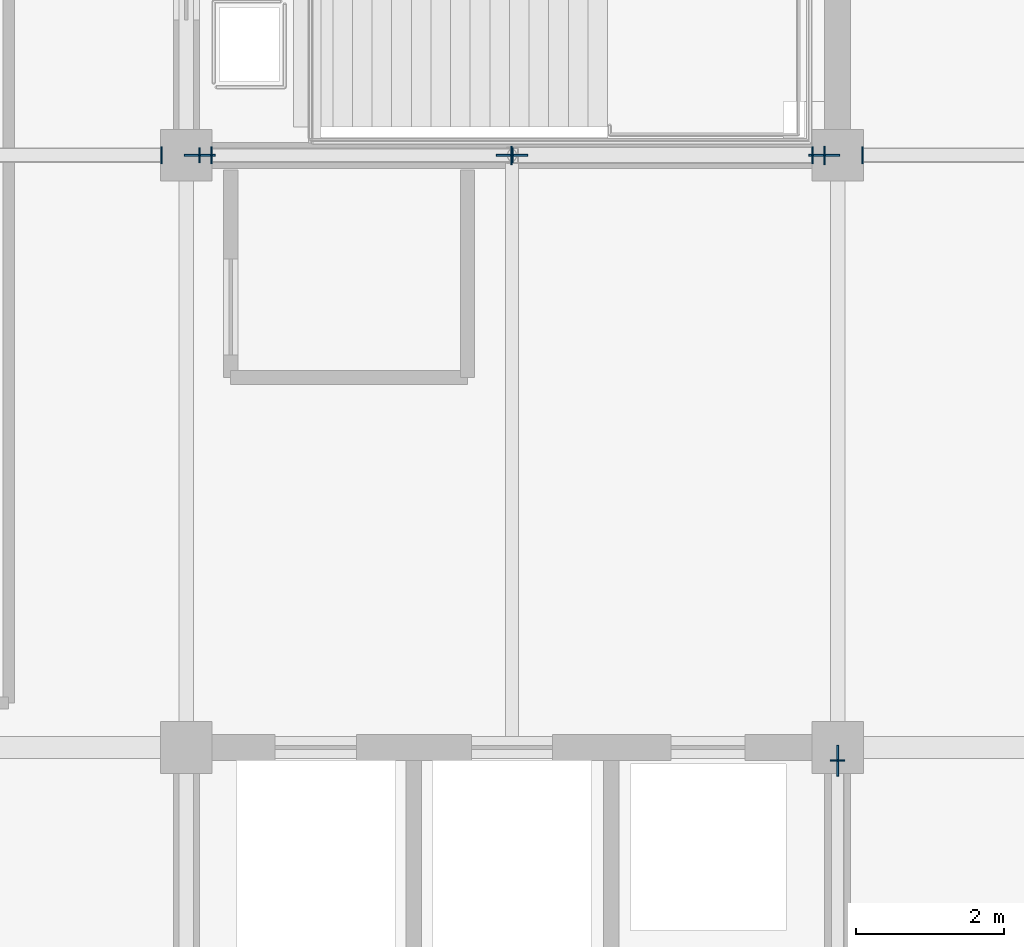
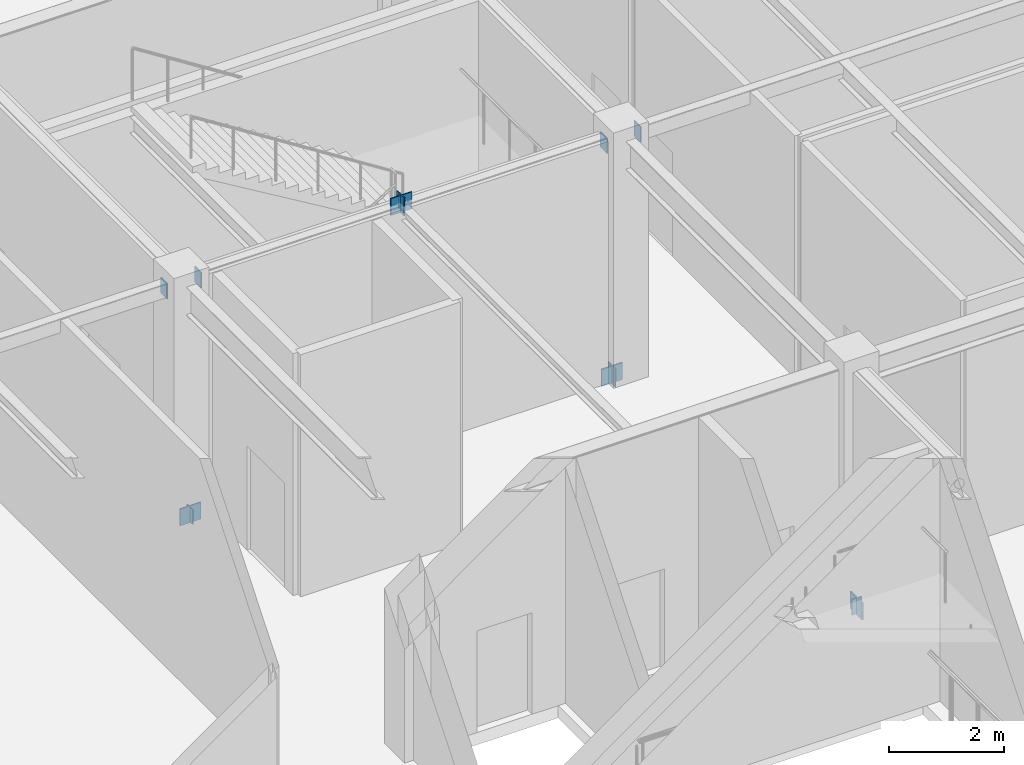
# One storey, part 114 of 184: 13 plates.
"""IFC4 building model written with IfcOpenShell, lengths in metres."""

import ifcopenshell
import ifcopenshell.guid

model = None  # the IFC model being written
_history = None  # IfcOwnerHistory: only IFC2X3 demands one
_inside = {}  # id of a spatial element -> (the spatial element, [elements in it])
_under = {}  # id of a project, library or spatial element -> (it, [spatial elements below it])
_declared = {}  # id of a project -> (the project, [libraries it declares])
_typed = {}  # id of a type object -> (the type object, [elements of that type])
_made_of = {}  # id of a material, layer set ... -> (it, [elements and type objects made of it])


def new_model(schema):
    """Start an empty IFC model of exactly this schema.

    Asked for "IFC4X3", IfcOpenShell would pick the latest addendum, in which some entities
    have other attributes; the version numbers below select the first issue.
    IFC2X3 requires an IfcOwnerHistory on every rooted entity: one is made here for all.
    """
    global model, _history
    if schema == "IFC4X3":
        model = ifcopenshell.file(schema_version=(4, 3, 0, 0))
    else:
        model = ifcopenshell.file(schema=schema)
    _inside.clear()
    _under.clear()
    _declared.clear()
    _typed.clear()
    _made_of.clear()
    _history = None
    if model.schema == "IFC2X3":
        org = make("IfcOrganization", Name="unknown")
        user = make(
            "IfcPersonAndOrganization",
            ThePerson=make("IfcPerson", FamilyName="unknown"),
            TheOrganization=org,
        )
        app = make(
            "IfcApplication",
            ApplicationDeveloper=org,
            Version="unknown",
            ApplicationFullName="unknown",
            ApplicationIdentifier="unknown",
        )
        _history = make(
            "IfcOwnerHistory",
            OwningUser=user,
            OwningApplication=app,
            ChangeAction="ADDED",
            CreationDate=0,
        )
    return model


def make(cls, **values):
    """One entity of the class cls with the attributes given. An attribute that is None is left unset."""
    return model.create_entity(
        cls, **{name: value for name, value in values.items() if value is not None}
    )


def rooted(cls, **values):
    """An entity with a GlobalId (a new one), such as an element, a storey or a relation."""
    return make(cls, GlobalId=ifcopenshell.guid.new(), OwnerHistory=_history, **values)


def si_unit(unit_type, name, prefix=None):
    """IfcSIUnit, for example si_unit("LENGTHUNIT", "METRE", prefix="MILLI")."""
    return make("IfcSIUnit", UnitType=unit_type, Prefix=prefix, Name=name)


def assignment(units):
    """IfcUnitAssignment: the units of a project."""
    return None if units is None else make("IfcUnitAssignment", Units=units)


def point(xyz):
    """IfcCartesianPoint."""
    return None if xyz is None else make("IfcCartesianPoint", Coordinates=xyz)


def direction(xyz):
    """IfcDirection."""
    return None if xyz is None else make("IfcDirection", DirectionRatios=xyz)


def frame(location, z_axis=None, x_axis=None):
    """IfcAxis2Placement3D, a coordinate frame: its origin and axes. An axis left out is left unset."""
    return make(
        "IfcAxis2Placement3D",
        Location=point(location),
        Axis=direction(z_axis),
        RefDirection=direction(x_axis),
    )


def frame_2d(location, x_axis=None):
    """IfcAxis2Placement2D, a coordinate frame in the plane: its origin and x axis."""
    return make(
        "IfcAxis2Placement2D", Location=point(location), RefDirection=direction(x_axis)
    )


def origin():
    """The frame at (0, 0, 0) with its axes left unset."""
    return frame((0.0, 0.0, 0.0))


def origin_2d():
    """The frame at (0, 0) in the plane with its x axis left unset."""
    return frame_2d((0.0, 0.0))


def place(relative_to, where):
    """IfcLocalPlacement: puts the frame where relative to a parent placement (None: the world)."""
    return make(
        "IfcLocalPlacement", PlacementRelTo=relative_to, RelativePlacement=where
    )


def context(
    kind, dimensions, precision=None, world=None, true_north=None, identifier=None
):
    """IfcGeometricRepresentationContext, for example the 3D "Model" context."""
    return make(
        "IfcGeometricRepresentationContext",
        ContextIdentifier=identifier,
        ContextType=kind,
        CoordinateSpaceDimension=dimensions,
        Precision=precision,
        WorldCoordinateSystem=world,
        TrueNorth=true_north,
    )


def subcontext(parent, identifier, kind, view, scale=None):
    """IfcGeometricRepresentationSubContext, for example "Body" below "Model"."""
    return make(
        "IfcGeometricRepresentationSubContext",
        ContextIdentifier=identifier,
        ContextType=kind,
        ParentContext=parent,
        TargetScale=scale,
        TargetView=view,
    )


def project(units=None, contexts=None):
    """IfcProject with its units and contexts."""
    return rooted(
        "IfcProject",
        Name="project",
        RepresentationContexts=contexts,
        UnitsInContext=assignment(units),
    )


def spatial(cls, under=None, at=None, **own):
    """A site, building, storey or space (cls), placed at a placement, below another one or the project."""
    s = rooted(cls, ObjectPlacement=at, **own)
    if under is not None:
        _under.setdefault(under.id(), (under, []))[1].append(s)
    return s


def profile(cls, at=None, kind="AREA", **sizes):
    """A parametric profile (cls). Its sizes go by their IFC names, for example OverallWidth=200.0."""
    return make(cls, ProfileType=kind, Position=at, **sizes)


def rectangle(**sizes):
    """IfcRectangleProfileDef."""
    return profile("IfcRectangleProfileDef", **sizes)


def extrude(swept, where, along, depth):
    """IfcExtrudedAreaSolid: the profile swept, set in the frame where, extruded along a direction by depth."""
    return make(
        "IfcExtrudedAreaSolid",
        SweptArea=swept,
        Position=where,
        ExtrudedDirection=direction(along),
        Depth=depth,
    )


def shape(context_of_items, identifier, shape_type, items):
    """IfcShapeRepresentation: the items that make up one representation, for example the "Body"."""
    return make(
        "IfcShapeRepresentation",
        ContextOfItems=context_of_items,
        RepresentationIdentifier=identifier,
        RepresentationType=shape_type,
        Items=items,
    )


def material(Name=None, Category=None):
    """IfcMaterial."""
    return make("IfcMaterial", Name=Name, Category=Category)


def layer(
    of_material, thickness, ventilated=None, Name=None, Category=None, Priority=None
):
    """IfcMaterialLayer: one layer of a wall or slab, of a material (None: an air gap)."""
    return make(
        "IfcMaterialLayer",
        Material=of_material,
        LayerThickness=thickness,
        IsVentilated=ventilated,
        Name=Name,
        Category=Category,
        Priority=Priority,
    )


def layer_set(layers, Name=None):
    """IfcMaterialLayerSet."""
    return make("IfcMaterialLayerSet", MaterialLayers=layers, LayerSetName=Name)


def made_of(thing, what):
    """Note that an element or type object is made of a material, layer set ...; save() writes the relation."""
    if what is not None:
        _made_of.setdefault(what.id(), (what, []))[1].append(thing)
    return thing


def type_object(cls, material=None, **own):
    """A type object (cls), such as IfcWallType, which elements share."""
    return made_of(rooted(cls, **own), material)


def element(
    cls,
    number,
    at=None,
    inside=None,
    cuts=None,
    type_object=None,
    material=None,
    context=None,
    identifier="Body",
    shape_type=None,
    held_by="IfcProductDefinitionShape",
    body=None,
    shapes=None,
    **own,
):
    """One element of the class cls, such as IfcWall. Its Tag is "e" and its number.

    at: its placement. inside: the storey or other place that contains it. cuts: it is an
    opening in that element (IfcRelVoidsElement). A single representation is given by context,
    identifier, shape_type and body (its items); several are given by shapes. held_by: the class
    of the entity that holds the representations. save() writes the other relations.
    """
    e = rooted(cls, Tag="e%d" % number, ObjectPlacement=at, **own)
    if body is not None:
        shapes = [shape(context, identifier, shape_type, body)]
    if shapes is not None:
        e.Representation = make(held_by, Representations=shapes)
    if inside is not None:
        _inside.setdefault(inside.id(), (inside, []))[1].append(e)
    if cuts is not None:
        rooted(
            "IfcRelVoidsElement", RelatingBuildingElement=cuts, RelatedOpeningElement=e
        )
    if type_object is not None:
        _typed.setdefault(type_object.id(), (type_object, []))[1].append(e)
    return made_of(e, material)


def aggregate(whole, parts):
    """IfcRelAggregates: a whole, such as a stair, and the parts it consists of."""
    return rooted("IfcRelAggregates", RelatingObject=whole, RelatedObjects=parts)


def save(model, path):
    """Write the relations noted so far, then the file.

    IfcRelAggregates (storeys below a building ...), IfcRelContainedInSpatialStructure (elements
    in a storey), IfcRelDefinesByType, IfcRelAssociatesMaterial and IfcRelDeclares: one each for
    every whole, place, type object, material and project.
    """
    for whole, parts in _under.values():
        aggregate(whole, parts)
    for where, things in _inside.values():
        rooted(
            "IfcRelContainedInSpatialStructure",
            RelatedElements=things,
            RelatingStructure=where,
        )
    for kind, things in _typed.values():
        rooted("IfcRelDefinesByType", RelatedObjects=things, RelatingType=kind)
    for what, things in _made_of.values():
        rooted("IfcRelAssociatesMaterial", RelatedObjects=things, RelatingMaterial=what)
    for by, libraries in _declared.values():
        rooted("IfcRelDeclares", RelatingContext=by, RelatedDefinitions=libraries)
    model.write(path)


model = new_model("IFC4")

# Units and contexts
model_context = context("Model", 3, precision=1e-05, world=origin(), true_north=direction((0.0, 1.0)))
body_context = subcontext(model_context, "Body", "Model", "MODEL_VIEW")
ifc_project = project(units=[si_unit("LENGTHUNIT", "METRE"), si_unit("AREAUNIT", "SQUARE_METRE"), si_unit("VOLUMEUNIT", "CUBIC_METRE"), si_unit("PLANEANGLEUNIT", "RADIAN"), si_unit("MASSUNIT", "GRAM", prefix="KILO")], contexts=[model_context])

# Site, building, storey
site_placement = place(None, origin())
site = spatial("IfcSite", under=ifc_project, at=site_placement, CompositionType="ELEMENT")
building_placement = place(site_placement, origin())
building = spatial("IfcBuilding", under=site, at=building_placement, Name="Zhaolan Boulevard Law Courts", CompositionType="ELEMENT")
storey_placement = place(building_placement, frame((0.0, 0.0, 5.39990234375)))
storey = spatial("IfcBuildingStorey", under=building, at=storey_placement, Name="L01", CompositionType="ELEMENT", Elevation=5.39990234375)

# Plates
ifc_material_1 = material(Name="Structural steel Q355B", Category="steel")
ifc_layer_1 = layer(ifc_material_1, 0.02392578125)
ifc_layer_set_1 = layer_set([ifc_layer_1])
plate_type_1 = type_object("IfcPlateType", Name="BRACE GUSSET PLATE 24", PredefinedType="SHEET", material=ifc_layer_set_1)
for number, where, z_axis, x_axis, name in (
    (1, (26.39990234375, 53.820068359375, -0.14990234375), (0.0, 0.0, 1.0), (0.0, 1.0, 0.0), "Brace Gusset Connection Plate GP-W1-L01-EA2"),
    (2, (17.780029296875, 62.0, -0.14990234375), (0.0, 0.0, 1.0), (1.0, 0.0, 0.0), "Brace Gusset Connection Plate GP-W2-L01-SA1"),
    (3, (26.219970703125, 62.0, -0.14990234375), (0.0, 0.0, 1.0), (1.0, 0.0, 0.0), "Brace Gusset Connection Plate GP-W2-L01-SA2"),
    (4, (22.0, 62.0, 4.93994140625), (0.0, 0.0, 1.0), (1.0, 0.0, 0.0), "Brace Gusset Connection Plate GP-W2-L01-SAPX"),
):
    element("IfcPlate", number, at=place(storey_placement, frame(where, z_axis=z_axis, x_axis=x_axis)), inside=storey, type_object=plate_type_1, Name=name, PredefinedType="SHEET", context=body_context, shape_type="SweptSolid", body=[
        extrude(rectangle(XDim=0.419921875, YDim=0.02392578125, at=origin_2d()), origin(), (0.0, 0.0, 1.0), 0.360107421875),
    ])
ifc_material_2 = material(Name="Structural steel Q355B", Category="steel")
ifc_layer_2 = layer(ifc_material_2, 0.02001953125)
ifc_layer_set_2 = layer_set([ifc_layer_2])
plate_type_2 = type_object("IfcPlateType", Name="END CAP PLATE 20", PredefinedType="SHEET", material=ifc_layer_set_2)
for number, where, z_axis, x_axis, name in (
    (5, (17.261962890625, 62.0, 4.822998046875), (0.0, 0.0, 1.0), (1.0, 0.0, 0.0), "Hollow Section End-Cap Plate ECP-0784"),
    (6, (17.93798828125, 62.0, 4.822998046875), (0.0, 0.0, 1.0), (1.0, 0.0, 0.0), "Hollow Section End-Cap Plate ECP-0785"),
    (7, (26.06201171875, 62.0, 4.822998046875), (0.0, 0.0, 1.0), (1.0, 0.0, 0.0), "Hollow Section End-Cap Plate ECP-0786"),
    (8, (26.738037109375, 62.0, 4.822998046875), (0.0, 0.0, 1.0), (1.0, 0.0, 0.0), "Hollow Section End-Cap Plate ECP-0787"),
):
    element("IfcPlate", number, at=place(storey_placement, frame(where, z_axis=z_axis, x_axis=x_axis)), inside=storey, type_object=plate_type_2, Name=name, PredefinedType="SHEET", context=body_context, shape_type="SweptSolid", body=[
        extrude(rectangle(XDim=0.02001953125, YDim=0.22998046875, at=origin_2d()), origin(), (0.0, 0.0, 1.0), 0.330078125),
    ])
plate_placement = place(storey_placement, frame((26.39990234375, 53.82470703125, -0.141357421875), z_axis=(0.0, 0.0, 1.0), x_axis=(0.0, -1.0, 0.0)))
element("IfcPlate", 9, at=plate_placement, inside=storey, type_object=plate_type_2, Name="Hollow Section End-Cap Plate ECP-1069", PredefinedType="SHEET", context=body_context, shape_type="SweptSolid", body=[
    extrude(rectangle(XDim=0.02001953125, YDim=0.197998046875, at=origin_2d()), origin(), (0.0, 0.0, 1.0), 0.330078125),
])
for number, where, z_axis, x_axis, name in (
    (10, (17.77490234375, 62.0, -0.131103515625), (0.0, 0.0, 1.0), (1.0, 0.0, 0.0), "Hollow Section End-Cap Plate ECP-1155"),
    (11, (22.005126953125, 62.0, 4.97119140625), (0.0, 0.0, 1.0), (1.0, 0.0, 0.0), "Hollow Section End-Cap Plate ECP-1156"),
):
    element("IfcPlate", number, at=place(storey_placement, frame(where, z_axis=z_axis, x_axis=x_axis)), inside=storey, type_object=plate_type_2, Name=name, PredefinedType="SHEET", context=body_context, shape_type="SweptSolid", body=[
        extrude(rectangle(XDim=0.02001953125, YDim=0.197998046875, at=origin_2d()), origin(), (0.0, 0.0, 1.0), 0.31005859375),
    ])
for number, where, z_axis, x_axis, name in (
    (12, (26.22509765625, 62.0, -0.172119140625), (0.0, 0.0, 1.0), (-1.0, 0.0, 0.0), "Hollow Section End-Cap Plate ECP-1157"),
    (13, (21.994873046875, 62.0, 4.93017578125), (0.0, 0.0, 1.0), (-1.0, 0.0, 0.0), "Hollow Section End-Cap Plate ECP-1158"),
):
    element("IfcPlate", number, at=place(storey_placement, frame(where, z_axis=z_axis, x_axis=x_axis)), inside=storey, type_object=plate_type_2, Name=name, PredefinedType="SHEET", context=body_context, shape_type="SweptSolid", body=[
        extrude(rectangle(XDim=0.02001953125, YDim=0.25, at=origin_2d()), origin(), (0.0, 0.0, 1.0), 0.39208984375),
    ])

save(model, "model.ifc")
